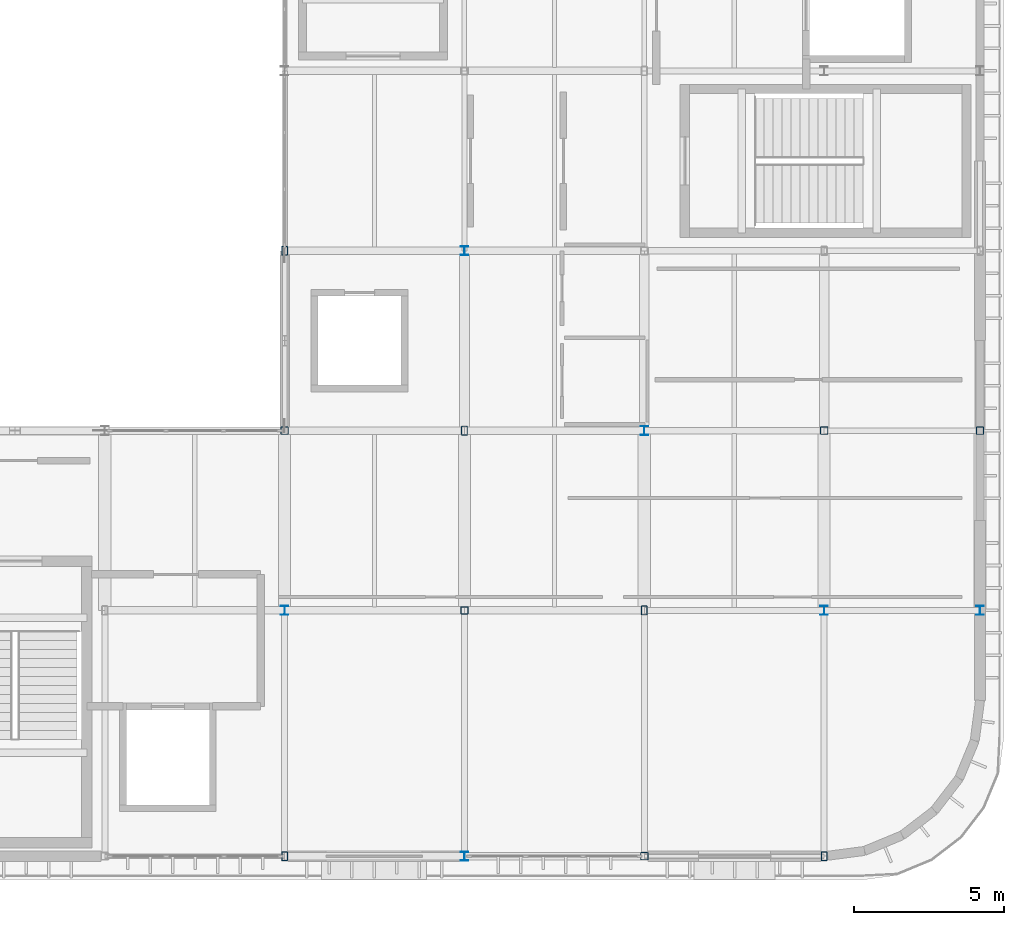
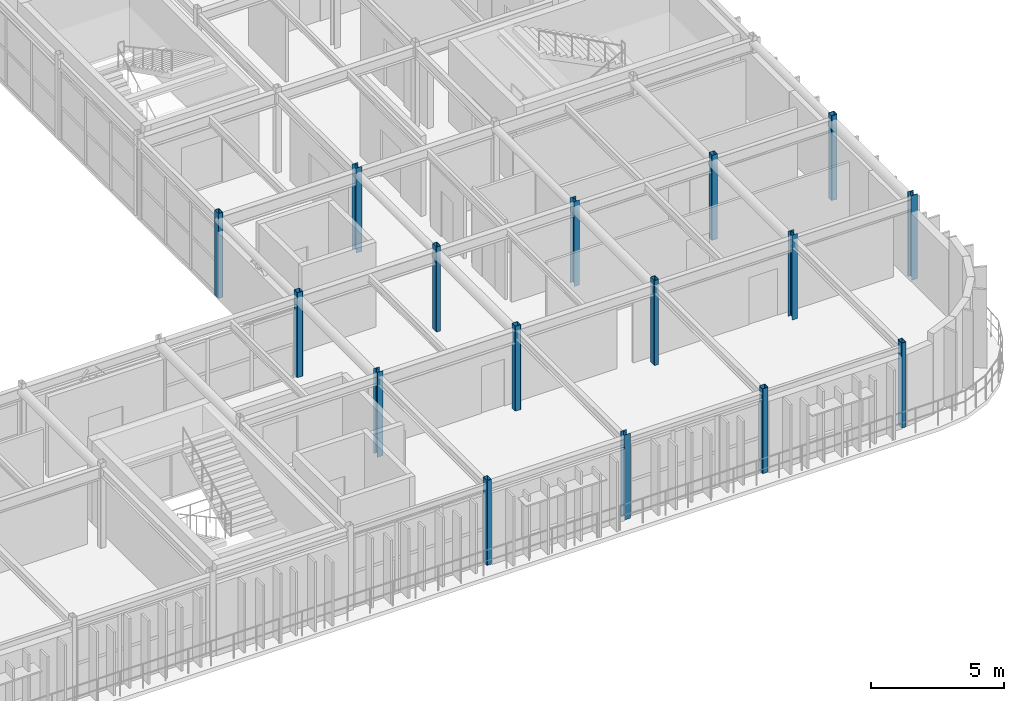
# One storey, part 2 of 27: 16 columns.
"""IFC4 building model written with IfcOpenShell, lengths in metres."""

from ifc_helpers import new_model, si_unit, direction, frame, origin, origin_2d, place, context, subcontext, project, spatial, hollow_rectangle, i_section, extrude, material, material_profile, profile_set, type_object, element, save


model = new_model("IFC4")

# Units and contexts
model_context = context("Model", 3, precision=1e-05, world=origin(), true_north=direction((0.0, 1.0)))
body_context = subcontext(model_context, "Body", "Model", "MODEL_VIEW")
ifc_project = project(units=[si_unit("LENGTHUNIT", "METRE"), si_unit("AREAUNIT", "SQUARE_METRE"), si_unit("VOLUMEUNIT", "CUBIC_METRE"), si_unit("PLANEANGLEUNIT", "RADIAN"), si_unit("MASSUNIT", "GRAM", prefix="KILO")], contexts=[model_context])

# Site, building, storey
site_placement = place(None, origin())
site = spatial("IfcSite", under=ifc_project, at=site_placement, CompositionType="ELEMENT")
building_placement = place(site_placement, origin())
building = spatial("IfcBuilding", under=site, at=building_placement, Name="Varnakota Square Police Headquarters", CompositionType="ELEMENT")
storey_placement = place(building_placement, frame((0.0, 0.0, 26.10009765625)))
storey = spatial("IfcBuildingStorey", under=building, at=storey_placement, Name="L06", CompositionType="ELEMENT", Elevation=26.10009765625)

# Columns
ifc_material = material(Name="Steel IS 2062 Grade 350", Category="steel")
ifc_material_profile_1 = material_profile(ifc_material, i_section(OverallWidth=0.25, OverallDepth=0.300048828125, WebThickness=0.009521484375, FlangeThickness=0.010498046875, FilletRadius=0.011962890625, at=origin_2d()), Name="ISHB 300")
ifc_profile_set_1 = profile_set([ifc_material_profile_1], Name="Steel IS 2062 Grade 350")
column_type_1 = type_object("IfcColumnType", Name="COL-ISHB300", PredefinedType="COLUMN", material=ifc_profile_set_1)
for number, where, z_axis, x_axis, name in (
    (1, (138.0, 9.0, 0.0), (0.0, 0.0, 1.0), (1.0, 0.0, 0.0), "Column X1380-Y0090 L06"),
    (2, (144.0, 0.800048828125, 0.0), (0.0, 0.0, 1.0), (1.0, 0.0, 0.0), "Column X1440-Y0008 L06"),
    (3, (144.0, 21.0, 0.0), (0.0, 0.0, 1.0), (1.0, 0.0, 0.0), "Column X1440-Y0210 L06"),
    (4, (150.0, 15.0, 0.0), (0.0, 0.0, 1.0), (1.0, 0.0, 0.0), "Column X1500-Y0150 L06"),
    (5, (156.0, 9.0, 0.0), (0.0, 0.0, 1.0), (1.0, 0.0, 0.0), "Column X1560-Y0090 L06"),
    (6, (161.199951171875, 9.0, 0.0), (0.0, 0.0, 1.0), (1.0, 0.0, 0.0), "Column X1612-Y0090 L06"),
):
    element("IfcColumn", number, at=place(storey_placement, frame(where, z_axis=z_axis, x_axis=x_axis)), inside=storey, type_object=column_type_1, Name=name, PredefinedType="COLUMN", context=body_context, shape_type="SweptSolid", body=[
        extrude(i_section(OverallWidth=0.25, OverallDepth=0.300048828125, WebThickness=0.009521484375, FlangeThickness=0.010498046875, FilletRadius=0.011962890625, at=origin_2d()), origin(), (0.0, 0.0, 1.0), 3.89990234375),
    ])
ifc_material_profile_2 = material_profile(ifc_material, hollow_rectangle(XDim=0.199951171875, YDim=0.300048828125, WallThickness=0.011962890625, InnerFilletRadius=0.011962890625, OuterFilletRadius=0.02392578125, at=origin_2d()), Name="RHS 300x200x12")
ifc_profile_set_2 = profile_set([ifc_material_profile_2], Name="Steel IS 2062 Grade 350")
column_type_2 = type_object("IfcColumnType", Name="COL-RHS300", PredefinedType="COLUMN", material=ifc_profile_set_2)
for number, where, z_axis, x_axis, name in (
    (7, (138.0, 0.800048828125, 0.0), (0.0, 0.0, 1.0), (1.0, 0.0, 0.0), "Column X1380-Y0008 L06"),
    (8, (138.0, 21.0, 0.0), (0.0, 0.0, 1.0), (1.0, 0.0, 0.0), "Column X1380-Y0210 L06"),
    (9, (144.0, 15.0, 0.0), (0.0, 0.0, 1.0), (1.0, 0.0, 0.0), "Column X1440-Y0150 L06"),
    (10, (150.0, 9.0, 0.0), (0.0, 0.0, 1.0), (1.0, 0.0, 0.0), "Column X1500-Y0090 L06"),
    (11, (156.0, 0.800048828125, 0.0), (0.0, 0.0, 1.0), (1.0, 0.0, 0.0), "Column X1560-Y0008 L06"),
):
    element("IfcColumn", number, at=place(storey_placement, frame(where, z_axis=z_axis, x_axis=x_axis)), inside=storey, type_object=column_type_2, Name=name, PredefinedType="COLUMN", context=body_context, shape_type="SweptSolid", body=[
        extrude(hollow_rectangle(XDim=0.199951171875, YDim=0.300048828125, WallThickness=0.011962890625, InnerFilletRadius=0.011962890625, OuterFilletRadius=0.02392578125, at=origin_2d()), origin(), (0.0, 0.0, 1.0), 3.89990234375),
    ])
ifc_material_profile_3 = material_profile(ifc_material, hollow_rectangle(XDim=0.25, YDim=0.25, WallThickness=0.011962890625, InnerFilletRadius=0.011962890625, OuterFilletRadius=0.02392578125, at=origin_2d()), Name="SHS 250x250x12")
ifc_profile_set_3 = profile_set([ifc_material_profile_3], Name="Steel IS 2062 Grade 350")
column_type_3 = type_object("IfcColumnType", Name="COL-SHS250", PredefinedType="COLUMN", material=ifc_profile_set_3)
for number, where, z_axis, x_axis, name in (
    (12, (138.0, 15.0, 0.0), (0.0, 0.0, 1.0), (1.0, 0.0, 0.0), "Column X1380-Y0150 L06"),
    (13, (144.0, 9.0, 0.0), (0.0, 0.0, 1.0), (1.0, 0.0, 0.0), "Column X1440-Y0090 L06"),
    (14, (150.0, 0.800048828125, 0.0), (0.0, 0.0, 1.0), (1.0, 0.0, 0.0), "Column X1500-Y0008 L06"),
    (15, (156.0, 15.0, 0.0), (0.0, 0.0, 1.0), (1.0, 0.0, 0.0), "Column X1560-Y0150 L06"),
    (16, (161.199951171875, 15.0, 0.0), (0.0, 0.0, 1.0), (1.0, 0.0, 0.0), "Column X1612-Y0150 L06"),
):
    element("IfcColumn", number, at=place(storey_placement, frame(where, z_axis=z_axis, x_axis=x_axis)), inside=storey, type_object=column_type_3, Name=name, PredefinedType="COLUMN", context=body_context, shape_type="SweptSolid", body=[
        extrude(hollow_rectangle(XDim=0.25, YDim=0.25, WallThickness=0.011962890625, InnerFilletRadius=0.011962890625, OuterFilletRadius=0.02392578125, at=origin_2d()), origin(), (0.0, 0.0, 1.0), 3.89990234375),
    ])

save(model, "model.ifc")
